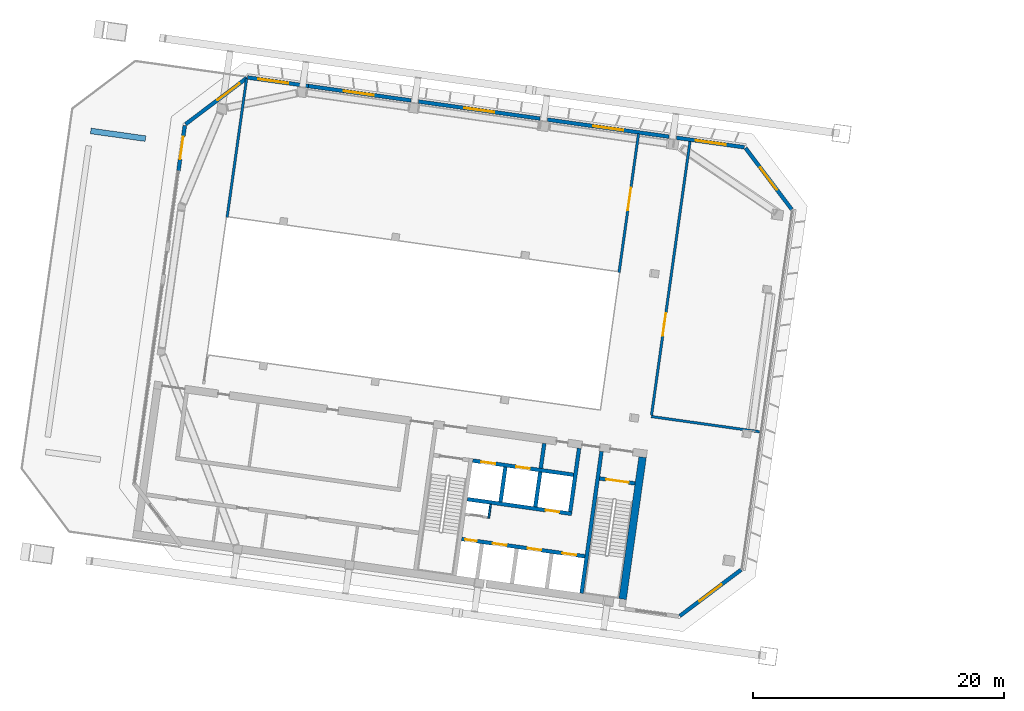
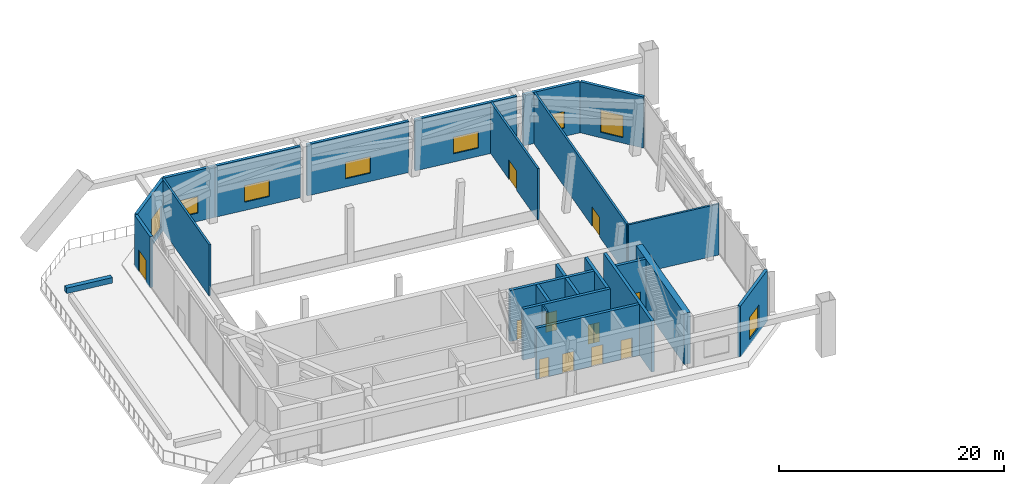
# One storey, part 16 of 29: 25 walls, 11 doors, 8 windows, 19 openings.
"""IFC4 building model written with IfcOpenShell, lengths in metres."""

from ifc_helpers import new_model, si_unit, direction, frame, frame_2d, origin, place, context, subcontext, project, spatial, rectangle, extrude, material, layer, layer_set, type_object, element, fill, save


model = new_model("IFC4")

# Units and contexts
model_context = context("Model", 3, precision=1e-05, world=origin(), true_north=direction((0.0, 1.0)))
body_context = subcontext(model_context, "Body", "Model", "MODEL_VIEW")
ifc_project = project(units=[si_unit("LENGTHUNIT", "METRE"), si_unit("AREAUNIT", "SQUARE_METRE"), si_unit("VOLUMEUNIT", "CUBIC_METRE"), si_unit("PLANEANGLEUNIT", "RADIAN"), si_unit("MASSUNIT", "GRAM", prefix="KILO")], contexts=[model_context])

# Site, building, storey
site_placement = place(None, origin())
site = spatial("IfcSite", under=ifc_project, at=site_placement, CompositionType="ELEMENT")
building_placement = place(site_placement, origin())
building = spatial("IfcBuilding", under=site, at=building_placement, Name="Mirante Cascada Hotel Towers", CompositionType="ELEMENT")
storey_placement = place(building_placement, frame((0.0, 0.0, 210.6)))
storey = spatial("IfcBuildingStorey", under=building, at=storey_placement, Name="L50", CompositionType="ELEMENT", Elevation=210.6)

# Walls
ifc_material_1 = material(Name="Masonry block", Category="masonry")
ifc_layer_1 = layer(ifc_material_1, 0.15)
ifc_layer_set_1 = layer_set([ifc_layer_1], Name="Core room partition 150 block EI 30")
wall_type_1 = type_object("IfcWallType", Name="Core room partition 150 block EI 30", PredefinedType="PARTITIONING", material=ifc_layer_set_1)
wall_1_placement = place(storey_placement, frame((-48.2295, -12.793, 0.0), z_axis=(0.0, 0.0, 1.0), x_axis=(0.1391935, 0.9902652, 0.0)))
element("IfcWall", 1, at=wall_1_placement, inside=storey, type_object=wall_type_1, Name="Core wall partition T1 L50 2", PredefinedType="PARTITIONING", context=body_context, shape_type="SweptSolid", body=[
    extrude(rectangle(XDim=1.1251, YDim=0.15, at=frame_2d((0.5626, 0.0))), origin(), (0.0, 0.0, 1.0), 5.55),
])
ifc_material_2 = material(Name="Masonry block", Category="masonry")
ifc_layer_2 = layer(ifc_material_2, 0.3)
ifc_layer_set_2 = layer_set([ifc_layer_2], Name="Core wall 300 block EI 120")
wall_type_2 = type_object("IfcWallType", Name="Core wall 300 block EI 120", PredefinedType="PARTITIONING", material=ifc_layer_set_2)
wall_2_placement = place(storey_placement, frame((-44.0843, -8.8061, 0.0), z_axis=(0.0, 0.0, 1.0), x_axis=(0.1391951, 0.990265, 0.0)))
element("IfcWall", 2, at=wall_2_placement, inside=storey, type_object=wall_type_2, Name="Core wall partition T1 L50 1", PredefinedType="PARTITIONING", context=body_context, shape_type="SweptSolid", body=[
    extrude(rectangle(XDim=2.0001, YDim=0.3, at=frame_2d((1.0001, 0.0))), origin(), (0.0, 0.0, 1.0), 5.55),
])
ifc_material_3 = material(Name="Precast concrete C40/50", Category="concrete")
ifc_layer_3 = layer(ifc_material_3, 0.45)
ifc_layer_set_3 = layer_set([ifc_layer_3], Name="Planter wall 450 concrete C40/50")
wall_type_3 = type_object("IfcWallType", Name="Planter wall 450 concrete C40/50", PredefinedType="PARAPET", material=ifc_layer_set_3)
wall_3_placement = place(storey_placement, frame((-75.5395, 17.4269, 0.0), z_axis=(0.0, 0.0, 1.0), x_axis=(-0.990267, 0.139181, 0.0)))
element("IfcWall", 3, at=wall_3_placement, inside=storey, type_object=wall_type_3, Name="PLANTER T1 L50 bed 2", PredefinedType="PARAPET", context=body_context, shape_type="SweptSolid", body=[
    extrude(rectangle(XDim=4.4, YDim=0.45, at=frame_2d((2.2, 0.0))), origin(), (0.0, 0.0, 1.0), 0.6),
])

# Wall, opening, window
ifc_material_4 = material(Name="Precast concrete C40/50", Category="concrete")
ifc_layer_4 = layer(ifc_material_4, 0.3)
ifc_layer_set_4 = layer_set([ifc_layer_4], Name="Precast concrete C40/50 cladding wall 300")
wall_type_4 = type_object("IfcWallType", Name="Precast concrete C40/50 cladding wall 300", PredefinedType="STANDARD", material=ifc_layer_set_4)
wall_4_placement = place(storey_placement, frame((-27.8911, 16.7388, 0.0), z_axis=(0.0, 0.0, 1.0), x_axis=(-0.9902658, 0.139189, 0.0)))
wall_4 = element("IfcWall", 4, at=wall_4_placement, inside=storey, type_object=wall_type_4, Name="Cladding pier wall T1 L50 front 1", PredefinedType="STANDARD", context=body_context, shape_type="SweptSolid", body=[
    extrude(rectangle(XDim=5.4444, YDim=0.3, at=frame_2d((2.7222, 0.0))), origin(), (0.0, 0.0, 1.0), 5.55),
])
opening_1_placement = place(wall_4_placement, frame((1.4911, 0.0, 0.9)))
opening_1 = element("IfcOpeningElement", 5, at=opening_1_placement, cuts=wall_4, Name="Opening W1-50-01", PredefinedType="OPENING", context=body_context, shape_type="SweptSolid", body=[
    extrude(rectangle(XDim=2.4, YDim=1.8, at=frame_2d((1.2, 0.9))), frame((0.0, 0.15, 0.0), z_axis=(0.0, -1.0, 0.0), x_axis=(1.0, 0.0, 0.0)), (0.0, 0.0, 1.0), 0.3),
])
ifc_material_5 = material(Name="Aluminium frame with clear double glazing", Category="aluminium")
window_type_1 = type_object("IfcWindowType", Name="Punched window 2400x1800", PartitioningType="DOUBLE_PANEL_VERTICAL", PredefinedType="WINDOW", material=ifc_material_5)
window_1_placement = place(opening_1_placement, origin())
window_1 = element("IfcWindow", 6, at=window_1_placement, inside=storey, type_object=window_type_1, Name="Window W1-50-01", OverallHeight=1.8, OverallWidth=2.4, PartitioningType="SINGLE_PANEL", PredefinedType="WINDOW", context=body_context, shape_type="SweptSolid", body=[
    extrude(rectangle(XDim=2.4, YDim=1.8, at=frame_2d((1.2, 0.9))), frame((0.0, 0.03, 0.0), z_axis=(0.0, -1.0, 0.0), x_axis=(1.0, 0.0, 0.0)), (0.0, 0.0, 1.0), 0.06),
])
fill(opening_1, window_1)

wall_5_placement = place(storey_placement, frame((-33.8767, 17.5801, 0.0), z_axis=(0.0, 0.0, 1.0), x_axis=(-0.9902686, 0.1391693, 0.0)))
wall_5 = element("IfcWall", 7, at=wall_5_placement, inside=storey, type_object=wall_type_4, Name="Cladding pier wall T1 L50 front 2", PredefinedType="STANDARD", context=body_context, shape_type="SweptSolid", body=[
    extrude(rectangle(XDim=9.768, YDim=0.3, at=frame_2d((4.884, 0.0))), origin(), (0.0, 0.0, 1.0), 5.55),
])
opening_2_placement = place(wall_5_placement, frame((3.684, 0.0, 0.9)))
opening_2 = element("IfcOpeningElement", 8, at=opening_2_placement, cuts=wall_5, Name="Opening W1-50-02", PredefinedType="OPENING", context=body_context, shape_type="SweptSolid", body=[
    extrude(rectangle(XDim=2.4, YDim=1.8, at=frame_2d((1.2, 0.9))), frame((0.0, 0.15, 0.0), z_axis=(0.0, -1.0, 0.0), x_axis=(1.0, 0.0, 0.0)), (0.0, 0.0, 1.0), 0.3),
])
window_2_placement = place(opening_2_placement, origin())
window_2 = element("IfcWindow", 9, at=window_2_placement, inside=storey, type_object=window_type_1, Name="Window W1-50-02", OverallHeight=1.8, OverallWidth=2.4, PartitioningType="SINGLE_PANEL", PredefinedType="WINDOW", context=body_context, shape_type="SweptSolid", body=[
    extrude(rectangle(XDim=2.4, YDim=1.8, at=frame_2d((1.2, 0.9))), frame((0.0, 0.03, 0.0), z_axis=(0.0, -1.0, 0.0), x_axis=(1.0, 0.0, 0.0)), (0.0, 0.0, 1.0), 0.06),
])
fill(opening_2, window_2)

wall_6_placement = place(storey_placement, frame((-44.1438, 19.023, 0.0), z_axis=(0.0, 0.0, 1.0), x_axis=(-0.9902672, 0.1391794, 0.0)))
wall_6 = element("IfcWall", 10, at=wall_6_placement, inside=storey, type_object=wall_type_4, Name="Cladding pier wall T1 L50 front 3", PredefinedType="STANDARD", context=body_context, shape_type="SweptSolid", body=[
    extrude(rectangle(XDim=9.768, YDim=0.3, at=frame_2d((4.884, 0.0))), origin(), (0.0, 0.0, 1.0), 5.55),
])
opening_3_placement = place(wall_6_placement, frame((3.684, 0.0, 0.9)))
opening_3 = element("IfcOpeningElement", 11, at=opening_3_placement, cuts=wall_6, Name="Opening W1-50-03", PredefinedType="OPENING", context=body_context, shape_type="SweptSolid", body=[
    extrude(rectangle(XDim=2.4, YDim=1.8, at=frame_2d((1.2, 0.9))), frame((0.0, 0.15, 0.0), z_axis=(0.0, -1.0, 0.0), x_axis=(1.0, 0.0, 0.0)), (0.0, 0.0, 1.0), 0.3),
])
window_3_placement = place(opening_3_placement, origin())
window_3 = element("IfcWindow", 12, at=window_3_placement, inside=storey, type_object=window_type_1, Name="Window W1-50-03", OverallHeight=1.8, OverallWidth=2.4, PartitioningType="SINGLE_PANEL", PredefinedType="WINDOW", context=body_context, shape_type="SweptSolid", body=[
    extrude(rectangle(XDim=2.4, YDim=1.8, at=frame_2d((1.2, 0.9))), frame((0.0, 0.03, 0.0), z_axis=(0.0, -1.0, 0.0), x_axis=(1.0, 0.0, 0.0)), (0.0, 0.0, 1.0), 0.06),
])
fill(opening_3, window_3)

wall_7_placement = place(storey_placement, frame((-54.4109, 20.466, 0.0), z_axis=(0.0, 0.0, 1.0), x_axis=(-0.9902691, 0.1391657, 0.0)))
wall_7 = element("IfcWall", 13, at=wall_7_placement, inside=storey, type_object=wall_type_4, Name="Cladding pier wall T1 L50 front 4", PredefinedType="STANDARD", context=body_context, shape_type="SweptSolid", body=[
    extrude(rectangle(XDim=8.2499, YDim=0.3, at=frame_2d((4.125, 0.0))), origin(), (0.0, 0.0, 1.0), 5.55),
])
opening_4_placement = place(wall_7_placement, frame((3.0, 0.0, 0.9)))
opening_4 = element("IfcOpeningElement", 14, at=opening_4_placement, cuts=wall_7, Name="Opening W1-50-04", PredefinedType="OPENING", context=body_context, shape_type="SweptSolid", body=[
    extrude(rectangle(XDim=2.4, YDim=1.8, at=frame_2d((1.2, 0.9))), frame((0.0, 0.15, 0.0), z_axis=(0.0, -1.0, 0.0), x_axis=(1.0, 0.0, 0.0)), (0.0, 0.0, 1.0), 0.3),
])
window_4_placement = place(opening_4_placement, origin())
window_4 = element("IfcWindow", 15, at=window_4_placement, inside=storey, type_object=window_type_1, Name="Window W1-50-04", OverallHeight=1.8, OverallWidth=2.4, PartitioningType="SINGLE_PANEL", PredefinedType="WINDOW", context=body_context, shape_type="SweptSolid", body=[
    extrude(rectangle(XDim=2.4, YDim=1.8, at=frame_2d((1.2, 0.9))), frame((0.0, 0.03, 0.0), z_axis=(0.0, -1.0, 0.0), x_axis=(1.0, 0.0, 0.0)), (0.0, 0.0, 1.0), 0.06),
])
fill(opening_4, window_4)

wall_8_placement = place(storey_placement, frame((-62.5805, 21.6141, 0.0), z_axis=(0.0, 0.0, 1.0), x_axis=(-0.9902673, 0.1391783, 0.0)))
wall_8 = element("IfcWall", 16, at=wall_8_placement, inside=storey, type_object=wall_type_4, Name="Cladding pier wall T1 L50 front 5", PredefinedType="STANDARD", context=body_context, shape_type="SweptSolid", body=[
    extrude(rectangle(XDim=4.888, YDim=0.3, at=frame_2d((2.444, 0.0))), origin(), (0.0, 0.0, 1.0), 5.55),
])
opening_5_placement = place(wall_8_placement, frame((1.619, 0.0, 0.9)))
opening_5 = element("IfcOpeningElement", 17, at=opening_5_placement, cuts=wall_8, Name="Opening W1-50-05", PredefinedType="OPENING", context=body_context, shape_type="SweptSolid", body=[
    extrude(rectangle(XDim=2.4, YDim=1.8, at=frame_2d((1.2, 0.9))), frame((0.0, 0.15, 0.0), z_axis=(0.0, -1.0, 0.0), x_axis=(1.0, 0.0, 0.0)), (0.0, 0.0, 1.0), 0.3),
])
window_5_placement = place(opening_5_placement, origin())
window_5 = element("IfcWindow", 18, at=window_5_placement, inside=storey, type_object=window_type_1, Name="Window W1-50-05", OverallHeight=1.8, OverallWidth=2.4, PartitioningType="SINGLE_PANEL", PredefinedType="WINDOW", context=body_context, shape_type="SweptSolid", body=[
    extrude(rectangle(XDim=2.4, YDim=1.8, at=frame_2d((1.2, 0.9))), frame((0.0, 0.03, 0.0), z_axis=(0.0, -1.0, 0.0), x_axis=(1.0, 0.0, 0.0)), (0.0, 0.0, 1.0), 0.06),
])
fill(opening_5, window_5)

wall_9_placement = place(storey_placement, frame((-72.3546, 18.5766, 0.0), z_axis=(0.0, 0.0, 1.0), x_axis=(0.7986362, 0.6018141, 0.0)))
wall_9 = element("IfcWall", 19, at=wall_9_placement, inside=storey, type_object=wall_type_4, Name="Corner cladding wall T1 L50 outer front", PredefinedType="STANDARD", context=body_context, shape_type="SweptSolid", body=[
    extrude(rectangle(XDim=6.1157, YDim=0.3, at=frame_2d((3.0578, 0.0))), origin(), (0.0, 0.0, 1.0), 5.55),
])
opening_6_placement = place(wall_9_placement, frame((3.1983, 0.0, 0.6)))
opening_6 = element("IfcOpeningElement", 20, at=opening_6_placement, cuts=wall_9, Name="Opening W1-50-08", PredefinedType="OPENING", context=body_context, shape_type="SweptSolid", body=[
    extrude(rectangle(XDim=2.2, YDim=2.4, at=frame_2d((1.1, 1.2))), frame((0.0, 0.15, 0.0), z_axis=(0.0, -1.0, 0.0), x_axis=(1.0, 0.0, 0.0)), (0.0, 0.0, 1.0), 0.3),
])
ifc_material_6 = material(Name="Aluminium frame with clear double glazing", Category="aluminium")
window_type_2 = type_object("IfcWindowType", Name="Corner suite window 2200x2400", PartitioningType="DOUBLE_PANEL_VERTICAL", PredefinedType="WINDOW", material=ifc_material_6)
window_6_placement = place(opening_6_placement, origin())
window_6 = element("IfcWindow", 21, at=window_6_placement, inside=storey, type_object=window_type_2, Name="Window W1-50-08", OverallHeight=2.4, OverallWidth=2.2, PartitioningType="SINGLE_PANEL", PredefinedType="WINDOW", context=body_context, shape_type="SweptSolid", body=[
    extrude(rectangle(XDim=2.2, YDim=2.4, at=frame_2d((1.1, 1.2))), frame((0.0, 0.03, 0.0), z_axis=(0.0, -1.0, 0.0), x_axis=(1.0, 0.0, 0.0)), (0.0, 0.0, 1.0), 0.06),
])
fill(opening_6, window_6)

wall_10_placement = place(storey_placement, frame((-27.7922, 16.6806, 0.0), z_axis=(0.0, 0.0, 1.0), x_axis=(0.6018115, -0.7986381, 0.0)))
wall_10 = element("IfcWall", 22, at=wall_10_placement, inside=storey, type_object=wall_type_4, Name="Corner cladding wall T1 L50 front inner", PredefinedType="STANDARD", context=body_context, shape_type="SweptSolid", body=[
    extrude(rectangle(XDim=6.1155, YDim=0.3, at=frame_2d((3.0578, 0.0))), origin(), (0.0, 0.0, 1.0), 5.55),
])
opening_7_placement = place(wall_10_placement, frame((1.9577, 0.0, 0.6)))
opening_7 = element("IfcOpeningElement", 23, at=opening_7_placement, cuts=wall_10, Name="Opening W1-50-09", PredefinedType="OPENING", context=body_context, shape_type="SweptSolid", body=[
    extrude(rectangle(XDim=2.2, YDim=2.4, at=frame_2d((1.1, 1.2))), frame((0.0, 0.15, 0.0), z_axis=(0.0, -1.0, 0.0), x_axis=(1.0, 0.0, 0.0)), (0.0, 0.0, 1.0), 0.3),
])
window_7_placement = place(opening_7_placement, origin())
window_7 = element("IfcWindow", 24, at=window_7_placement, inside=storey, type_object=window_type_2, Name="Window W1-50-09", OverallHeight=2.4, OverallWidth=2.2, PartitioningType="SINGLE_PANEL", PredefinedType="WINDOW", context=body_context, shape_type="SweptSolid", body=[
    extrude(rectangle(XDim=2.2, YDim=2.4, at=frame_2d((1.1, 1.2))), frame((0.0, 0.03, 0.0), z_axis=(0.0, -1.0, 0.0), x_axis=(1.0, 0.0, 0.0)), (0.0, 0.0, 1.0), 0.06),
])
fill(opening_7, window_7)

wall_11_placement = place(storey_placement, frame((-28.1427, -16.8851, 0.0), z_axis=(0.0, 0.0, 1.0), x_axis=(-0.7986381, -0.6018115, 0.0)))
wall_11 = element("IfcWall", 25, at=wall_11_placement, inside=storey, type_object=wall_type_4, Name="Corner cladding wall T1 L50 inner rear", PredefinedType="STANDARD", context=body_context, shape_type="SweptSolid", body=[
    extrude(rectangle(XDim=6.1155, YDim=0.3, at=frame_2d((3.0578, 0.0))), origin(), (0.0, 0.0, 1.0), 5.55),
])
opening_8_placement = place(wall_11_placement, frame((1.9578, 0.0, 0.6)))
opening_8 = element("IfcOpeningElement", 26, at=opening_8_placement, cuts=wall_11, Name="Opening W1-50-10", PredefinedType="OPENING", context=body_context, shape_type="SweptSolid", body=[
    extrude(rectangle(XDim=2.2, YDim=2.4, at=frame_2d((1.1, 1.2))), frame((0.0, 0.15, 0.0), z_axis=(0.0, -1.0, 0.0), x_axis=(1.0, 0.0, 0.0)), (0.0, 0.0, 1.0), 0.3),
])
window_8_placement = place(opening_8_placement, origin())
window_8 = element("IfcWindow", 27, at=window_8_placement, inside=storey, type_object=window_type_2, Name="Window W1-50-10", OverallHeight=2.4, OverallWidth=2.2, PartitioningType="SINGLE_PANEL", PredefinedType="WINDOW", context=body_context, shape_type="SweptSolid", body=[
    extrude(rectangle(XDim=2.2, YDim=2.4, at=frame_2d((1.1, 1.2))), frame((0.0, 0.03, 0.0), z_axis=(0.0, -1.0, 0.0), x_axis=(1.0, 0.0, 0.0)), (0.0, 0.0, 1.0), 0.06),
])
fill(opening_8, window_8)

# Wall, opening, door
ifc_material_7 = material(Name="Precast concrete C40/50", Category="concrete")
ifc_layer_5 = layer(ifc_material_7, 0.3)
ifc_layer_set_5 = layer_set([ifc_layer_5], Name="Precast concrete C40/50 terrace wall 300")
wall_type_5 = type_object("IfcWallType", Name="Precast concrete C40/50 terrace wall 300", PredefinedType="STANDARD", material=ifc_layer_set_5)
wall_12_placement = place(storey_placement, frame((-72.9191, 14.8753, 0.0), z_axis=(0.0, 0.0, 1.0), x_axis=(0.1391698, 0.9902685, 0.0)))
wall_12 = element("IfcWall", 28, at=wall_12_placement, inside=storey, type_object=wall_type_5, Name="Lounge door pier wall T1 L50 4", PredefinedType="STANDARD", context=body_context, shape_type="SweptSolid", body=[
    extrude(rectangle(XDim=3.638, YDim=0.3, at=frame_2d((1.819, 0.0))), origin(), (0.0, 0.0, 1.0), 5.55),
])
opening_9_placement = place(wall_12_placement, frame((0.919, 0.0, 0.0)))
opening_9 = element("IfcOpeningElement", 29, at=opening_9_placement, cuts=wall_12, Name="Opening D1-50-92", PredefinedType="OPENING", context=body_context, shape_type="SweptSolid", body=[
    extrude(rectangle(XDim=1.8, YDim=2.4, at=frame_2d((0.9, 1.2))), frame((0.0, 0.15, 0.0), z_axis=(0.0, -1.0, 0.0), x_axis=(1.0, 0.0, 0.0)), (0.0, 0.0, 1.0), 0.3),
])
ifc_material_8 = material(Name="Aluminium frame with clear laminated glazing", Category="aluminium")
door_type_1 = type_object("IfcDoorType", Name="Terrace double door 1800x2400", OperationType="DOUBLE_DOOR_SINGLE_SWING", PredefinedType="DOOR", material=ifc_material_8)
door_1_placement = place(opening_9_placement, origin())
door_1 = element("IfcDoor", 30, at=door_1_placement, inside=storey, type_object=door_type_1, Name="Terrace door D1-50-92", OperationType="DOUBLE_DOOR_SINGLE_SWING", OverallHeight=2.4, OverallWidth=1.8, PredefinedType="DOOR", context=body_context, shape_type="SweptSolid", body=[
    extrude(rectangle(XDim=0.895, YDim=2.4, at=frame_2d((0.4475, 1.2))), frame((0.0, 0.025, 0.0), z_axis=(0.0, -1.0, 0.0), x_axis=(1.0, 0.0, 0.0)), (0.0, 0.0, 1.0), 0.05),
    extrude(rectangle(XDim=0.895, YDim=2.4, at=frame_2d((1.3525, 1.2))), frame((0.0, 0.025, 0.0), z_axis=(0.0, -1.0, 0.0), x_axis=(1.0, 0.0, 0.0)), (0.0, 0.0, 1.0), 0.05),
])
fill(opening_9, door_1)

# Wall
ifc_material_9 = material(Name="Concrete C50/60", Category="concrete")
ifc_layer_6 = layer(ifc_material_9, 0.3)
ifc_layer_set_6 = layer_set([ifc_layer_6], Name="RC core wall 300 C50/60")
wall_type_6 = type_object("IfcWallType", Name="RC core wall 300 C50/60", PredefinedType="SHEAR", material=ifc_layer_set_6)
wall_13_placement = place(storey_placement, frame((-40.8373, -18.7548, 0.0), z_axis=(0.0, 0.0, 1.0), x_axis=(0.1391749, 0.9902678, 0.0)))
element("IfcWall", 31, at=wall_13_placement, inside=storey, type_object=wall_type_6, Name="Core wall T1:L50:5", PredefinedType="SHEAR", context=body_context, shape_type="SweptSolid", body=[
    extrude(rectangle(XDim=11.4, YDim=0.3, at=frame_2d((5.7, 0.0))), origin(), (0.0, 0.0, 1.0), 5.55),
])

# Wall, opening, door
wall_14_placement = place(storey_placement, frame((-36.5791, -10.0123, 0.0), z_axis=(0.0, 0.0, 1.0), x_axis=(-0.9902704, 0.1391564, 0.0)))
wall_14 = element("IfcWall", 32, at=wall_14_placement, inside=storey, type_object=wall_type_6, Name="Core wall T1:L50:8", PredefinedType="SHEAR", context=body_context, shape_type="SweptSolid", body=[
    extrude(rectangle(XDim=2.85, YDim=0.3, at=frame_2d((1.425, 0.0))), origin(), (0.0, 0.0, 1.0), 5.55),
])
opening_10_placement = place(wall_14_placement, frame((0.525, 0.0, 0.0)))
opening_10 = element("IfcOpeningElement", 33, at=opening_10_placement, cuts=wall_14, Name="Opening D1-50-C07", PredefinedType="OPENING", context=body_context, shape_type="SweptSolid", body=[
    extrude(rectangle(XDim=1.8, YDim=2.1, at=frame_2d((0.9, 1.05))), frame((0.0, 0.15, 0.0), z_axis=(0.0, -1.0, 0.0), x_axis=(1.0, 0.0, 0.0)), (0.0, 0.0, 1.0), 0.3),
])
ifc_material_10 = material(Name="Hollow metal fire door leaf")
door_type_2 = type_object("IfcDoorType", Name="Double fire door 1800x2100 FD60", OperationType="DOUBLE_DOOR_SINGLE_SWING", PredefinedType="DOOR", material=ifc_material_10)
door_2_placement = place(opening_10_placement, origin())
door_2 = element("IfcDoor", 34, at=door_2_placement, inside=storey, type_object=door_type_2, Name="Stair door T1 L50 7", OperationType="DOUBLE_DOOR_SINGLE_SWING", OverallHeight=2.1, OverallWidth=1.8, PredefinedType="DOOR", context=body_context, shape_type="SweptSolid", body=[
    extrude(rectangle(XDim=0.895, YDim=2.1, at=frame_2d((0.4475, 1.05))), frame((0.0, 0.025, 0.0), z_axis=(0.0, -1.0, 0.0), x_axis=(1.0, 0.0, 0.0)), (0.0, 0.0, 1.0), 0.05),
    extrude(rectangle(XDim=0.895, YDim=2.1, at=frame_2d((1.3525, 1.05))), frame((0.0, 0.025, 0.0), z_axis=(0.0, -1.0, 0.0), x_axis=(1.0, 0.0, 0.0)), (0.0, 0.0, 1.0), 0.05),
])
fill(opening_10, door_2)

# Wall, openings, doors
wall_15_placement = place(storey_placement, frame((-40.5753, -15.8126, 0.0), z_axis=(0.0, 0.0, 1.0), x_axis=(-0.9902682, 0.1391725, 0.0)))
wall_15 = element("IfcWall", 35, at=wall_15_placement, inside=storey, type_object=wall_type_6, Name="Core wall T1:L50:10", PredefinedType="SHEAR", context=body_context, shape_type="SweptSolid", body=[
    extrude(rectangle(XDim=9.8999, YDim=0.3, at=frame_2d((4.95, 0.0))), origin(), (0.0, 0.0, 1.0), 5.55),
])
opening_11_placement = place(wall_15_placement, frame((0.7, 0.0, 0.0)))
opening_11 = element("IfcOpeningElement", 36, at=opening_11_placement, cuts=wall_15, Name="Opening LD", PredefinedType="OPENING", context=body_context, shape_type="SweptSolid", body=[
    extrude(rectangle(XDim=1.1, YDim=2.1, at=frame_2d((0.55, 1.05))), frame((0.0, 0.15, 0.0), z_axis=(0.0, -1.0, 0.0), x_axis=(1.0, 0.0, 0.0)), (0.0, 0.0, 1.0), 0.3),
])
opening_12_placement = place(wall_15_placement, frame((3.5, 0.0, 0.0)))
opening_12 = element("IfcOpeningElement", 37, at=opening_12_placement, cuts=wall_15, Name="Opening LD", PredefinedType="OPENING", context=body_context, shape_type="SweptSolid", body=[
    extrude(rectangle(XDim=1.1, YDim=2.1, at=frame_2d((0.55, 1.05))), frame((0.0, 0.15, 0.0), z_axis=(0.0, -1.0, 0.0), x_axis=(1.0, 0.0, 0.0)), (0.0, 0.0, 1.0), 0.3),
])
opening_13_placement = place(wall_15_placement, frame((6.3, 0.0, 0.0)))
opening_13 = element("IfcOpeningElement", 38, at=opening_13_placement, cuts=wall_15, Name="Opening LD", PredefinedType="OPENING", context=body_context, shape_type="SweptSolid", body=[
    extrude(rectangle(XDim=1.1, YDim=2.1, at=frame_2d((0.55, 1.05))), frame((0.0, 0.15, 0.0), z_axis=(0.0, -1.0, 0.0), x_axis=(1.0, 0.0, 0.0)), (0.0, 0.0, 1.0), 0.3),
])
opening_14_placement = place(wall_15_placement, frame((8.7, 0.0, 0.0)))
opening_14 = element("IfcOpeningElement", 39, at=opening_14_placement, cuts=wall_15, Name="Opening D1-50-C14", PredefinedType="OPENING", context=body_context, shape_type="SweptSolid", body=[
    extrude(rectangle(XDim=0.9, YDim=2.1, at=frame_2d((0.45, 1.05))), frame((0.0, 0.15, 0.0), z_axis=(0.0, -1.0, 0.0), x_axis=(1.0, 0.0, 0.0)), (0.0, 0.0, 1.0), 0.3),
])
ifc_material_11 = material(Name="Hollow metal fire door leaf")
door_type_3 = type_object("IfcDoorType", Name="Fire door 900x2100 FD60", OperationType="NOTDEFINED", PredefinedType="DOOR", material=ifc_material_11)
door_3_placement = place(opening_14_placement, origin())
door_3 = element("IfcDoor", 40, at=door_3_placement, inside=storey, type_object=door_type_3, Name="Riser door T1 L50 14", OperationType="SINGLE_SWING_LEFT", OverallHeight=2.1, OverallWidth=0.9, PredefinedType="DOOR", context=body_context, shape_type="SweptSolid", body=[
    extrude(rectangle(XDim=0.9, YDim=2.1, at=frame_2d((0.45, 1.05))), frame((0.0, 0.025, 0.0), z_axis=(0.0, -1.0, 0.0), x_axis=(1.0, 0.0, 0.0)), (0.0, 0.0, 1.0), 0.05),
])
fill(opening_14, door_3)
ifc_material_12 = material(Name="Stainless steel", Category="steel")
door_type_4 = type_object("IfcDoorType", Name="Lift landing door 1100x2100 EI 120", OperationType="DOUBLE_DOOR_SLIDING", PredefinedType="DOOR", material=ifc_material_12)
door_4_placement = place(opening_11_placement, origin())
door_4 = element("IfcDoor", 41, at=door_4_placement, inside=storey, type_object=door_type_4, Name="Lift landing door HR1-1 L50", OperationType="DOUBLE_DOOR_SLIDING", OverallHeight=2.1, OverallWidth=1.1, PredefinedType="DOOR", context=body_context, shape_type="SweptSolid", body=[
    extrude(rectangle(XDim=0.545, YDim=2.1, at=frame_2d((0.2725, 1.05))), frame((0.0, 0.025, 0.0), z_axis=(0.0, -1.0, 0.0), x_axis=(1.0, 0.0, 0.0)), (0.0, 0.0, 1.0), 0.05),
    extrude(rectangle(XDim=0.545, YDim=2.1, at=frame_2d((0.8275, 1.05))), frame((0.0, 0.025, 0.0), z_axis=(0.0, -1.0, 0.0), x_axis=(1.0, 0.0, 0.0)), (0.0, 0.0, 1.0), 0.05),
])
fill(opening_11, door_4)
door_5_placement = place(opening_12_placement, origin())
door_5 = element("IfcDoor", 42, at=door_5_placement, inside=storey, type_object=door_type_4, Name="Lift landing door HR1-2 L50", OperationType="DOUBLE_DOOR_SLIDING", OverallHeight=2.1, OverallWidth=1.1, PredefinedType="DOOR", context=body_context, shape_type="SweptSolid", body=[
    extrude(rectangle(XDim=0.545, YDim=2.1, at=frame_2d((0.2725, 1.05))), frame((0.0, 0.025, 0.0), z_axis=(0.0, -1.0, 0.0), x_axis=(1.0, 0.0, 0.0)), (0.0, 0.0, 1.0), 0.05),
    extrude(rectangle(XDim=0.545, YDim=2.1, at=frame_2d((0.8275, 1.05))), frame((0.0, 0.025, 0.0), z_axis=(0.0, -1.0, 0.0), x_axis=(1.0, 0.0, 0.0)), (0.0, 0.0, 1.0), 0.05),
])
fill(opening_12, door_5)
door_6_placement = place(opening_13_placement, origin())
door_6 = element("IfcDoor", 43, at=door_6_placement, inside=storey, type_object=door_type_4, Name="Lift landing door HR1-3 L50", OperationType="DOUBLE_DOOR_SLIDING", OverallHeight=2.1, OverallWidth=1.1, PredefinedType="DOOR", context=body_context, shape_type="SweptSolid", body=[
    extrude(rectangle(XDim=0.545, YDim=2.1, at=frame_2d((0.2725, 1.05))), frame((0.0, 0.025, 0.0), z_axis=(0.0, -1.0, 0.0), x_axis=(1.0, 0.0, 0.0)), (0.0, 0.0, 1.0), 0.05),
    extrude(rectangle(XDim=0.545, YDim=2.1, at=frame_2d((0.8275, 1.05))), frame((0.0, 0.025, 0.0), z_axis=(0.0, -1.0, 0.0), x_axis=(1.0, 0.0, 0.0)), (0.0, 0.0, 1.0), 0.05),
])
fill(opening_13, door_6)

# Wall, opening, door
wall_16_placement = place(storey_placement, frame((-41.6153, -12.435, 0.0), z_axis=(0.0, 0.0, 1.0), x_axis=(-0.9902691, 0.139166, 0.0)))
wall_16 = element("IfcWall", 44, at=wall_16_placement, inside=storey, type_object=wall_type_6, Name="Core wall T1:L50:11", PredefinedType="SHEAR", context=body_context, shape_type="SweptSolid", body=[
    extrude(rectangle(XDim=8.4, YDim=0.3, at=frame_2d((4.2, 0.0))), origin(), (0.0, 0.0, 1.0), 5.55),
])
opening_15_placement = place(wall_16_placement, frame((1.0, 0.0, 0.0)))
opening_15 = element("IfcOpeningElement", 45, at=opening_15_placement, cuts=wall_16, Name="Opening LD", PredefinedType="OPENING", context=body_context, shape_type="SweptSolid", body=[
    extrude(rectangle(XDim=1.1, YDim=2.1, at=frame_2d((0.55, 1.05))), frame((0.0, 0.15, 0.0), z_axis=(0.0, -1.0, 0.0), x_axis=(1.0, 0.0, 0.0)), (0.0, 0.0, 1.0), 0.3),
])
door_7_placement = place(opening_15_placement, origin())
door_7 = element("IfcDoor", 46, at=door_7_placement, inside=storey, type_object=door_type_4, Name="Lift landing door HR1-4 L50", OperationType="DOUBLE_DOOR_SLIDING", OverallHeight=2.1, OverallWidth=1.1, PredefinedType="DOOR", context=body_context, shape_type="SweptSolid", body=[
    extrude(rectangle(XDim=0.545, YDim=2.1, at=frame_2d((0.2725, 1.05))), frame((0.0, 0.025, 0.0), z_axis=(0.0, -1.0, 0.0), x_axis=(1.0, 0.0, 0.0)), (0.0, 0.0, 1.0), 0.05),
    extrude(rectangle(XDim=0.545, YDim=2.1, at=frame_2d((0.8275, 1.05))), frame((0.0, 0.025, 0.0), z_axis=(0.0, -1.0, 0.0), x_axis=(1.0, 0.0, 0.0)), (0.0, 0.0, 1.0), 0.05),
])
fill(opening_15, door_7)

# Wall, openings, doors
wall_17_placement = place(storey_placement, frame((-41.481, -9.3234, 0.0), z_axis=(0.0, 0.0, 1.0), x_axis=(-0.9902679, 0.1391741, 0.0)))
wall_17 = element("IfcWall", 47, at=wall_17_placement, inside=storey, type_object=wall_type_6, Name="Core wall T1:L50:12", PredefinedType="SHEAR", context=body_context, shape_type="SweptSolid", body=[
    extrude(rectangle(XDim=8.0999, YDim=0.3, at=frame_2d((4.05, 0.0))), origin(), (0.0, 0.0, 1.0), 5.55),
])
opening_16_placement = place(wall_17_placement, frame((3.5, 0.0, 0.0)))
opening_16 = element("IfcOpeningElement", 48, at=opening_16_placement, cuts=wall_17, Name="Opening LD", PredefinedType="OPENING", context=body_context, shape_type="SweptSolid", body=[
    extrude(rectangle(XDim=1.1, YDim=2.1, at=frame_2d((0.55, 1.05))), frame((0.0, 0.15, 0.0), z_axis=(0.0, -1.0, 0.0), x_axis=(1.0, 0.0, 0.0)), (0.0, 0.0, 1.0), 0.3),
])
opening_17_placement = place(wall_17_placement, frame((6.3, 0.0, 0.0)))
opening_17 = element("IfcOpeningElement", 49, at=opening_17_placement, cuts=wall_17, Name="Opening LD", PredefinedType="OPENING", context=body_context, shape_type="SweptSolid", body=[
    extrude(rectangle(XDim=1.1, YDim=2.1, at=frame_2d((0.55, 1.05))), frame((0.0, 0.15, 0.0), z_axis=(0.0, -1.0, 0.0), x_axis=(1.0, 0.0, 0.0)), (0.0, 0.0, 1.0), 0.3),
])
door_8_placement = place(opening_16_placement, origin())
door_8 = element("IfcDoor", 50, at=door_8_placement, inside=storey, type_object=door_type_4, Name="Lift landing door FF1 L50", OperationType="DOUBLE_DOOR_SLIDING", OverallHeight=2.1, OverallWidth=1.1, PredefinedType="DOOR", context=body_context, shape_type="SweptSolid", body=[
    extrude(rectangle(XDim=0.545, YDim=2.1, at=frame_2d((0.2725, 1.05))), frame((0.0, 0.025, 0.0), z_axis=(0.0, -1.0, 0.0), x_axis=(1.0, 0.0, 0.0)), (0.0, 0.0, 1.0), 0.05),
    extrude(rectangle(XDim=0.545, YDim=2.1, at=frame_2d((0.8275, 1.05))), frame((0.0, 0.025, 0.0), z_axis=(0.0, -1.0, 0.0), x_axis=(1.0, 0.0, 0.0)), (0.0, 0.0, 1.0), 0.05),
])
fill(opening_16, door_8)
door_9_placement = place(opening_17_placement, origin())
door_9 = element("IfcDoor", 51, at=door_9_placement, inside=storey, type_object=door_type_4, Name="Lift landing door FF2 L50", OperationType="DOUBLE_DOOR_SLIDING", OverallHeight=2.1, OverallWidth=1.1, PredefinedType="DOOR", context=body_context, shape_type="SweptSolid", body=[
    extrude(rectangle(XDim=0.545, YDim=2.1, at=frame_2d((0.2725, 1.05))), frame((0.0, 0.025, 0.0), z_axis=(0.0, -1.0, 0.0), x_axis=(1.0, 0.0, 0.0)), (0.0, 0.0, 1.0), 0.05),
    extrude(rectangle(XDim=0.545, YDim=2.1, at=frame_2d((0.8275, 1.05))), frame((0.0, 0.025, 0.0), z_axis=(0.0, -1.0, 0.0), x_axis=(1.0, 0.0, 0.0)), (0.0, 0.0, 1.0), 0.05),
])
fill(opening_17, door_9)

# Walls
for number, where, z_axis, x_axis, name in (
    (52, (-44.5157, -11.8759, 0.0), (0.0, 0.0, 1.0), (0.139181, 0.990267, 0.0), "Core wall T1:L50:16"),
    (53, (-47.2885, -11.4862, 0.0), (0.0, 0.0, 1.0), (0.139181, 0.990267, 0.0), "Core wall T1:L50:17"),
):
    element("IfcWall", number, at=place(storey_placement, frame(where, z_axis=z_axis, x_axis=x_axis)), inside=storey, type_object=wall_type_6, Name=name, PredefinedType="SHEAR", context=body_context, shape_type="SweptSolid", body=[
        extrude(rectangle(XDim=2.8, YDim=0.3, at=frame_2d((1.4, 0.0))), origin(), (0.0, 0.0, 1.0), 5.55),
    ])
wall_18_placement = place(storey_placement, frame((-41.743, -12.2656, 0.0), z_axis=(0.0, 0.0, 1.0), x_axis=(0.1391755, 0.9902677, 0.0)))
element("IfcWall", 54, at=wall_18_placement, inside=storey, type_object=wall_type_6, Name="Core wall T1:L50:18", PredefinedType="SHEAR", context=body_context, shape_type="SweptSolid", body=[
    extrude(rectangle(XDim=5.1, YDim=0.3, at=frame_2d((2.55, 0.0))), origin(), (0.0, 0.0, 1.0), 5.55),
])
ifc_material_13 = material(Name="Concrete C50/60", Category="concrete")
ifc_layer_7 = layer(ifc_material_13, 0.6)
ifc_layer_set_7 = layer_set([ifc_layer_7], Name="RC core wall 600 C50/60")
wall_type_7 = type_object("IfcWallType", Name="RC core wall 600 C50/60", PredefinedType="SHEAR", material=ifc_layer_set_7)
wall_19_placement = place(storey_placement, frame((-37.5694, -19.2141, 0.0), z_axis=(0.0, 0.0, 1.0), x_axis=(0.1391749, 0.9902678, 0.0)))
element("IfcWall", 55, at=wall_19_placement, inside=storey, type_object=wall_type_7, Name="Core wall T1:L50:3", PredefinedType="SHEAR", context=body_context, shape_type="SweptSolid", body=[
    extrude(rectangle(XDim=11.4, YDim=0.6, at=frame_2d((5.7, 0.0))), origin(), (0.0, 0.0, 1.0), 5.55),
])
ifc_material_14 = material(Name="Masonry block", Category="masonry")
ifc_layer_8 = layer(ifc_material_14, 0.2)
ifc_layer_set_8 = layer_set([ifc_layer_8], Name="Refuge and plant wall 200 block EI 120")
wall_type_8 = type_object("IfcWallType", Name="Refuge and plant wall 200 block EI 120", PredefinedType="PARTITIONING", material=ifc_layer_set_8)
wall_20_placement = place(storey_placement, frame((-26.6561, -5.9034, 0.0), z_axis=(0.0, 0.0, 1.0), x_axis=(-0.9902674, 0.1391782, 0.0)))
element("IfcWall", 56, at=wall_20_placement, inside=storey, type_object=wall_type_8, Name="Refuge floor wall T1 L50 S1", PredefinedType="PARTITIONING", context=body_context, shape_type="SweptSolid", body=[
    extrude(rectangle(XDim=8.714, YDim=0.2, at=frame_2d((4.357, 0.0))), origin(), (0.0, 0.0, 1.0), 5.55),
])

# Wall, opening, door
wall_21_placement = place(storey_placement, frame((-35.2714, -4.5916, 0.0), z_axis=(0.0, 0.0, 1.0), x_axis=(0.1391746, 0.9902679, 0.0)))
wall_21 = element("IfcWall", 57, at=wall_21_placement, inside=storey, type_object=wall_type_8, Name="Refuge floor wall T1 L50 S2", PredefinedType="PARTITIONING", context=body_context, shape_type="SweptSolid", body=[
    extrude(rectangle(XDim=22.05, YDim=0.2, at=frame_2d((11.025, 0.0))), origin(), (0.0, 0.0, 1.0), 5.55),
])
opening_18_placement = place(wall_21_placement, frame((6.4, 0.0, 0.0)))
opening_18 = element("IfcOpeningElement", 58, at=opening_18_placement, cuts=wall_21, Name="Opening D1-50-S01", PredefinedType="OPENING", context=body_context, shape_type="SweptSolid", body=[
    extrude(rectangle(XDim=1.8, YDim=2.1, at=frame_2d((0.9, 1.05))), frame((0.0, 0.1, 0.0), z_axis=(0.0, -1.0, 0.0), x_axis=(1.0, 0.0, 0.0)), (0.0, 0.0, 1.0), 0.2),
])
ifc_material_15 = material(Name="Hollow metal fire door leaf")
door_type_5 = type_object("IfcDoorType", Name="Refuge and plant double door 1800x2100 FD60", OperationType="DOUBLE_DOOR_SINGLE_SWING", PredefinedType="DOOR", material=ifc_material_15)
door_10_placement = place(opening_18_placement, frame((1.8, 0.0, 0.0), z_axis=(0.0, 0.0, 1.0), x_axis=(-1.0, 0.0, 0.0)))
door_10 = element("IfcDoor", 59, at=door_10_placement, inside=storey, type_object=door_type_5, Name="Fire door T1 L50 s1", OperationType="DOUBLE_DOOR_SINGLE_SWING", OverallHeight=2.1, OverallWidth=1.8, PredefinedType="DOOR", context=body_context, shape_type="SweptSolid", body=[
    extrude(rectangle(XDim=0.895, YDim=2.1, at=frame_2d((0.4475, 1.05))), frame((0.0, 0.025, 0.0), z_axis=(0.0, -1.0, 0.0), x_axis=(1.0, 0.0, 0.0)), (0.0, 0.0, 1.0), 0.05),
    extrude(rectangle(XDim=0.895, YDim=2.1, at=frame_2d((1.3525, 1.05))), frame((0.0, 0.025, 0.0), z_axis=(0.0, -1.0, 0.0), x_axis=(1.0, 0.0, 0.0)), (0.0, 0.0, 1.0), 0.05),
])
fill(opening_18, door_10)

wall_22_placement = place(storey_placement, frame((-37.8547, 6.7786, 0.0), z_axis=(0.0, 0.0, 1.0), x_axis=(0.1391747, 0.9902678, 0.0)))
wall_22 = element("IfcWall", 60, at=wall_22_placement, inside=storey, type_object=wall_type_8, Name="Refuge floor wall T1 L50 S3", PredefinedType="PARTITIONING", context=body_context, shape_type="SweptSolid", body=[
    extrude(rectangle(XDim=11.15, YDim=0.2, at=frame_2d((5.575, 0.0))), origin(), (0.0, 0.0, 1.0), 5.55),
])
opening_19_placement = place(wall_22_placement, frame((5.0, 0.0, 0.0)))
opening_19 = element("IfcOpeningElement", 61, at=opening_19_placement, cuts=wall_22, Name="Opening D1-50-S02", PredefinedType="OPENING", context=body_context, shape_type="SweptSolid", body=[
    extrude(rectangle(XDim=1.8, YDim=2.1, at=frame_2d((0.9, 1.05))), frame((0.0, 0.1, 0.0), z_axis=(0.0, -1.0, 0.0), x_axis=(1.0, 0.0, 0.0)), (0.0, 0.0, 1.0), 0.2),
])
door_11_placement = place(opening_19_placement, origin())
door_11 = element("IfcDoor", 62, at=door_11_placement, inside=storey, type_object=door_type_5, Name="Fire door T1 L50 s2", OperationType="DOUBLE_DOOR_SINGLE_SWING", OverallHeight=2.1, OverallWidth=1.8, PredefinedType="DOOR", context=body_context, shape_type="SweptSolid", body=[
    extrude(rectangle(XDim=0.895, YDim=2.1, at=frame_2d((0.4475, 1.05))), frame((0.0, 0.025, 0.0), z_axis=(0.0, -1.0, 0.0), x_axis=(1.0, 0.0, 0.0)), (0.0, 0.0, 1.0), 0.05),
    extrude(rectangle(XDim=0.895, YDim=2.1, at=frame_2d((1.3525, 1.05))), frame((0.0, 0.025, 0.0), z_axis=(0.0, -1.0, 0.0), x_axis=(1.0, 0.0, 0.0)), (0.0, 0.0, 1.0), 0.05),
])
fill(opening_19, door_11)

# Wall
wall_23_placement = place(storey_placement, frame((-69.0481, 11.1625, 0.0), z_axis=(0.0, 0.0, 1.0), x_axis=(0.1391659, 0.9902691, 0.0)))
element("IfcWall", 63, at=wall_23_placement, inside=storey, type_object=wall_type_8, Name="Refuge floor wall T1 L50 S5", PredefinedType="PARTITIONING", context=body_context, shape_type="SweptSolid", body=[
    extrude(rectangle(XDim=11.15, YDim=0.2, at=frame_2d((5.575, 0.0))), origin(), (0.0, 0.0, 1.0), 5.55),
])

save(model, "model.ifc")
